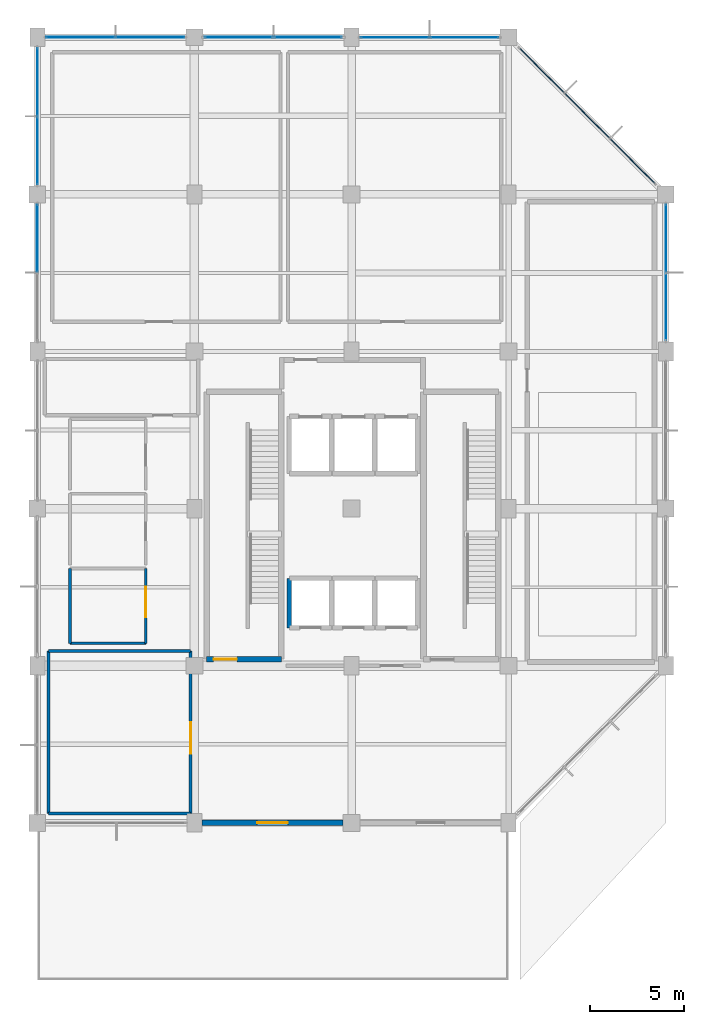
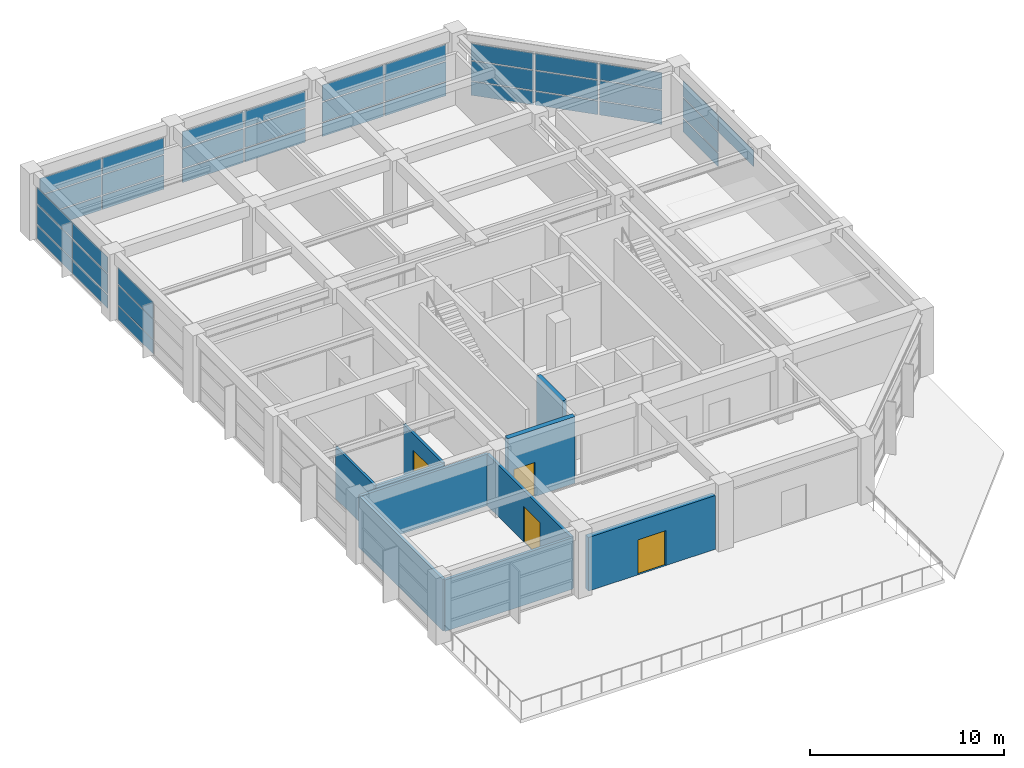
# One storey, part 8 of 11: 40 plates, 10 walls, 4 doors, 4 openings, 7 elements without a shape of their own.
"""IFC4 building model written with IfcOpenShell, lengths in metres."""

from ifc_helpers import new_model, si_unit, direction, frame, frame_2d, origin, origin_2d, place, context, subcontext, project, spatial, rectangle, extrude, material, layer, layer_set, type_object, element, fill, aggregate, save


model = new_model("IFC4")

# Units and contexts
model_context = context("Model", 3, precision=1e-05, world=origin(), true_north=direction((0.0, 1.0)))
body_context = subcontext(model_context, "Body", "Model", "MODEL_VIEW")
ifc_project = project(units=[si_unit("LENGTHUNIT", "METRE"), si_unit("AREAUNIT", "SQUARE_METRE"), si_unit("VOLUMEUNIT", "CUBIC_METRE"), si_unit("PLANEANGLEUNIT", "RADIAN"), si_unit("MASSUNIT", "GRAM", prefix="KILO")], contexts=[model_context])

# Site, building, storey
site_placement = place(None, origin())
site = spatial("IfcSite", under=ifc_project, at=site_placement, CompositionType="ELEMENT")
building_placement = place(site_placement, origin())
building = spatial("IfcBuilding", under=site, at=building_placement, Name="Xuanlan Plaza Opera House", CompositionType="ELEMENT")
storey_placement = place(building_placement, frame((0.0, 0.0, 57.300048828125)))
storey = spatial("IfcBuildingStorey", under=building, at=storey_placement, Name="L13", CompositionType="ELEMENT", Elevation=57.300048828125)

# Curtain wall, plates
ifc_material_1 = material(Name="Anodised Aluminium 6063-T6 and Low-E Glass", Category="aluminium")
curtain_wall_type_1 = type_object("IfcCurtainWallType", Name="ENV-CW-CW-02", PredefinedType="USERDEFINED", material=ifc_material_1)
curtain_wall_1_placement = place(storey_placement, origin())
curtain_wall_1 = element("IfcCurtainWall", 1, at=curtain_wall_1_placement, inside=storey, type_object=curtain_wall_type_1, Name="Unitised Curtain Wall L13-007", ObjectType="UNITISED CURTAIN WALL", PredefinedType="USERDEFINED")
ifc_material_2 = material(Name="Laminated Acoustic Double Glazing", Category="glass")
ifc_layer_1 = layer(ifc_material_2, 0.028076171875)
ifc_layer_set_1 = layer_set([ifc_layer_1], Name="Laminated Acoustic Double Glazing")
plate_type_1 = type_object("IfcPlateType", Name="ENV-CWP-01", PredefinedType="CURTAIN_PANEL", material=ifc_layer_set_1)
plate_1_placement = place(storey_placement, frame((159.60009765625, 69.590087890625, 2.2900390625), z_axis=(0.0, 0.0, 1.0), x_axis=(0.0, 1.0, 0.0)))
plate_1 = element("IfcPlate", 2, at=plate_1_placement, type_object=plate_type_1, Name="CW-02 panel 1.3", PredefinedType="CURTAIN_PANEL", context=body_context, shape_type="SweptSolid", body=[
    extrude(rectangle(XDim=3.60009765625, YDim=0.028076171875, at=origin_2d()), origin(), (0.0, 0.0, 1.0), 1.010009765625),
])
plate_2_placement = place(storey_placement, frame((159.60009765625, 73.260009765625, 0.079833984375), z_axis=(0.0, 0.0, 1.0), x_axis=(0.0, 1.0, 0.0)))
plate_2 = element("IfcPlate", 3, at=plate_2_placement, type_object=plate_type_1, Name="CW-02 panel 2.1", PredefinedType="CURTAIN_PANEL", context=body_context, shape_type="SweptSolid", body=[
    extrude(rectangle(XDim=3.60009765625, YDim=0.028076171875, at=origin_2d()), origin(), (0.0, 0.0, 1.0), 0.830078125),
])
plate_3_placement = place(storey_placement, frame((159.60009765625, 73.260009765625, 0.98974609375), z_axis=(0.0, 0.0, 1.0), x_axis=(0.0, 1.0, 0.0)))
plate_3 = element("IfcPlate", 4, at=plate_3_placement, type_object=plate_type_1, Name="CW-02 panel 2.2", PredefinedType="CURTAIN_PANEL", context=body_context, shape_type="SweptSolid", body=[
    extrude(rectangle(XDim=3.60009765625, YDim=0.028076171875, at=origin_2d()), origin(), (0.0, 0.0, 1.0), 1.219970703125),
])
plate_4_placement = place(storey_placement, frame((159.60009765625, 73.260009765625, 2.2900390625), z_axis=(0.0, 0.0, 1.0), x_axis=(0.0, 1.0, 0.0)))
plate_4 = element("IfcPlate", 5, at=plate_4_placement, type_object=plate_type_1, Name="CW-02 panel 2.3", PredefinedType="CURTAIN_PANEL", context=body_context, shape_type="SweptSolid", body=[
    extrude(rectangle(XDim=3.60009765625, YDim=0.028076171875, at=origin_2d()), origin(), (0.0, 0.0, 1.0), 1.010009765625),
])
aggregate(curtain_wall_1, [plate_1, plate_2, plate_3, plate_4])

curtain_wall_type_2 = type_object("IfcCurtainWallType", Name="ENV-CW-CW-03", PredefinedType="USERDEFINED", material=ifc_material_1)
curtain_wall_2_placement = place(storey_placement, origin())
curtain_wall_2 = element("IfcCurtainWall", 6, at=curtain_wall_2_placement, inside=storey, type_object=curtain_wall_type_2, Name="Unitised Curtain Wall L13-012", ObjectType="UNITISED CURTAIN WALL", PredefinedType="USERDEFINED")
plate_5_placement = place(storey_placement, frame((126.0, 81.610107421875, 0.079833984375), z_axis=(0.0, 0.0, 1.0), x_axis=(0.0, -1.0, 0.0)))
plate_5 = element("IfcPlate", 7, at=plate_5_placement, type_object=plate_type_1, Name="CW-03 panel 1.1", PredefinedType="CURTAIN_PANEL", context=body_context, shape_type="SweptSolid", body=[
    extrude(rectangle(XDim=3.60009765625, YDim=0.028076171875, at=origin_2d()), origin(), (0.0, 0.0, 1.0), 0.830078125),
])
plate_6_placement = place(storey_placement, frame((126.0, 81.610107421875, 0.98974609375), z_axis=(0.0, 0.0, 1.0), x_axis=(0.0, -1.0, 0.0)))
plate_6 = element("IfcPlate", 8, at=plate_6_placement, type_object=plate_type_1, Name="CW-03 panel 1.2", PredefinedType="CURTAIN_PANEL", context=body_context, shape_type="SweptSolid", body=[
    extrude(rectangle(XDim=3.60009765625, YDim=0.028076171875, at=origin_2d()), origin(), (0.0, 0.0, 1.0), 1.219970703125),
])
plate_7_placement = place(storey_placement, frame((126.0, 81.610107421875, 2.2900390625), z_axis=(0.0, 0.0, 1.0), x_axis=(0.0, -1.0, 0.0)))
plate_7 = element("IfcPlate", 9, at=plate_7_placement, type_object=plate_type_1, Name="CW-03 panel 1.3", PredefinedType="CURTAIN_PANEL", context=body_context, shape_type="SweptSolid", body=[
    extrude(rectangle(XDim=3.60009765625, YDim=0.028076171875, at=origin_2d()), origin(), (0.0, 0.0, 1.0), 1.010009765625),
])
plate_8_placement = place(storey_placement, frame((126.0, 77.93994140625, 0.079833984375), z_axis=(0.0, 0.0, 1.0), x_axis=(0.0, -1.0, 0.0)))
plate_8 = element("IfcPlate", 10, at=plate_8_placement, type_object=plate_type_1, Name="CW-03 panel 2.1", PredefinedType="CURTAIN_PANEL", context=body_context, shape_type="SweptSolid", body=[
    extrude(rectangle(XDim=3.60009765625, YDim=0.028076171875, at=origin_2d()), origin(), (0.0, 0.0, 1.0), 0.830078125),
])
plate_9_placement = place(storey_placement, frame((126.0, 77.93994140625, 0.98974609375), z_axis=(0.0, 0.0, 1.0), x_axis=(0.0, -1.0, 0.0)))
plate_9 = element("IfcPlate", 11, at=plate_9_placement, type_object=plate_type_1, Name="CW-03 panel 2.2", PredefinedType="CURTAIN_PANEL", context=body_context, shape_type="SweptSolid", body=[
    extrude(rectangle(XDim=3.60009765625, YDim=0.028076171875, at=origin_2d()), origin(), (0.0, 0.0, 1.0), 1.219970703125),
])
plate_10_placement = place(storey_placement, frame((126.0, 77.93994140625, 2.2900390625), z_axis=(0.0, 0.0, 1.0), x_axis=(0.0, -1.0, 0.0)))
plate_10 = element("IfcPlate", 12, at=plate_10_placement, type_object=plate_type_1, Name="CW-03 panel 2.3", PredefinedType="CURTAIN_PANEL", context=body_context, shape_type="SweptSolid", body=[
    extrude(rectangle(XDim=3.60009765625, YDim=0.028076171875, at=origin_2d()), origin(), (0.0, 0.0, 1.0), 1.010009765625),
])
aggregate(curtain_wall_2, [plate_5, plate_6, plate_7, plate_8, plate_9, plate_10])

curtain_wall_type_3 = type_object("IfcCurtainWallType", Name="ENV-CW-CW-04", PredefinedType="USERDEFINED", material=ifc_material_1)
curtain_wall_3_placement = place(storey_placement, origin())
curtain_wall_3 = element("IfcCurtainWall", 13, at=curtain_wall_3_placement, inside=storey, type_object=curtain_wall_type_3, Name="Unitised Curtain Wall L13-009", ObjectType="UNITISED CURTAIN WALL", PredefinedType="USERDEFINED")
ifc_layer_2 = layer(ifc_material_2, 0.031982421875)
ifc_layer_set_2 = layer_set([ifc_layer_2], Name="Laminated Acoustic Double Glazing")
plate_type_2 = type_object("IfcPlateType", Name="ENV-CWP-02", PredefinedType="CURTAIN_PANEL", material=ifc_layer_set_2)
plate_11_placement = place(storey_placement, frame((148.83251953125, 84.0, 0.074951171875), z_axis=(0.0, 0.0, 1.0), x_axis=(-1.0, 0.0, 0.0)))
plate_11 = element("IfcPlate", 14, at=plate_11_placement, type_object=plate_type_2, Name="CW-04 panel 1.1", PredefinedType="CURTAIN_PANEL", context=body_context, shape_type="SweptSolid", body=[
    extrude(rectangle(XDim=3.635009765625, YDim=0.031982421875, at=origin_2d()), origin(), (0.0, 0.0, 1.0), 0.83740234375),
])
plate_12_placement = place(storey_placement, frame((148.83251953125, 84.0, 0.9873046875), z_axis=(0.0, 0.0, 1.0), x_axis=(-1.0, 0.0, 0.0)))
plate_12 = element("IfcPlate", 15, at=plate_12_placement, type_object=plate_type_2, Name="CW-04 panel 1.2", PredefinedType="CURTAIN_PANEL", context=body_context, shape_type="SweptSolid", body=[
    extrude(rectangle(XDim=3.635009765625, YDim=0.031982421875, at=origin_2d()), origin(), (0.0, 0.0, 1.0), 1.22509765625),
])
plate_13_placement = place(storey_placement, frame((148.83251953125, 84.0, 2.287353515625), z_axis=(0.0, 0.0, 1.0), x_axis=(-1.0, 0.0, 0.0)))
plate_13 = element("IfcPlate", 16, at=plate_13_placement, type_object=plate_type_2, Name="CW-04 panel 1.3", PredefinedType="CURTAIN_PANEL", context=body_context, shape_type="SweptSolid", body=[
    extrude(rectangle(XDim=3.635009765625, YDim=0.031982421875, at=origin_2d()), origin(), (0.0, 0.0, 1.0), 1.017578125),
])
plate_14_placement = place(storey_placement, frame((145.117431640625, 84.0, 0.074951171875), z_axis=(0.0, 0.0, 1.0), x_axis=(-1.0, 0.0, 0.0)))
plate_14 = element("IfcPlate", 17, at=plate_14_placement, type_object=plate_type_2, Name="CW-04 panel 2.1", PredefinedType="CURTAIN_PANEL", context=body_context, shape_type="SweptSolid", body=[
    extrude(rectangle(XDim=3.635009765625, YDim=0.031982421875, at=origin_2d()), origin(), (0.0, 0.0, 1.0), 0.83740234375),
])
plate_15_placement = place(storey_placement, frame((145.117431640625, 84.0, 0.9873046875), z_axis=(0.0, 0.0, 1.0), x_axis=(-1.0, 0.0, 0.0)))
plate_15 = element("IfcPlate", 18, at=plate_15_placement, type_object=plate_type_2, Name="CW-04 panel 2.2", PredefinedType="CURTAIN_PANEL", context=body_context, shape_type="SweptSolid", body=[
    extrude(rectangle(XDim=3.635009765625, YDim=0.031982421875, at=origin_2d()), origin(), (0.0, 0.0, 1.0), 1.22509765625),
])
plate_16_placement = place(storey_placement, frame((145.117431640625, 84.0, 2.287353515625), z_axis=(0.0, 0.0, 1.0), x_axis=(-1.0, 0.0, 0.0)))
plate_16 = element("IfcPlate", 19, at=plate_16_placement, type_object=plate_type_2, Name="CW-04 panel 2.3", PredefinedType="CURTAIN_PANEL", context=body_context, shape_type="SweptSolid", body=[
    extrude(rectangle(XDim=3.635009765625, YDim=0.031982421875, at=origin_2d()), origin(), (0.0, 0.0, 1.0), 1.017578125),
])
aggregate(curtain_wall_3, [plate_11, plate_12, plate_13, plate_14, plate_15, plate_16])

curtain_wall_4_placement = place(storey_placement, origin())
curtain_wall_4 = element("IfcCurtainWall", 20, at=curtain_wall_4_placement, inside=storey, type_object=curtain_wall_type_1, Name="Unitised Curtain Wall L13-011", ObjectType="UNITISED CURTAIN WALL", PredefinedType="USERDEFINED")
ifc_layer_3 = layer(ifc_material_2, 0.035888671875)
ifc_layer_set_3 = layer_set([ifc_layer_3], Name="Laminated Acoustic Double Glazing")
plate_type_3 = type_object("IfcPlateType", Name="ENV-CWP-03", PredefinedType="CURTAIN_PANEL", material=ifc_layer_set_3)
plate_17_placement = place(storey_placement, frame((132.0361328125, 84.0, 0.06982421875), z_axis=(0.0, 0.0, 1.0), x_axis=(-1.0, 0.0, 0.0)))
plate_17 = element("IfcPlate", 21, at=plate_17_placement, type_object=plate_type_3, Name="CW-02 panel 1.1", PredefinedType="CURTAIN_PANEL", context=body_context, shape_type="SweptSolid", body=[
    extrude(rectangle(XDim=3.657470703125, YDim=0.035888671875, at=origin_2d()), origin(), (0.0, 0.0, 1.0), 0.844970703125),
])
plate_18_placement = place(storey_placement, frame((132.0361328125, 84.0, 0.98486328125), z_axis=(0.0, 0.0, 1.0), x_axis=(-1.0, 0.0, 0.0)))
plate_18 = element("IfcPlate", 22, at=plate_18_placement, type_object=plate_type_3, Name="CW-02 panel 1.2", PredefinedType="CURTAIN_PANEL", context=body_context, shape_type="SweptSolid", body=[
    extrude(rectangle(XDim=3.657470703125, YDim=0.035888671875, at=origin_2d()), origin(), (0.0, 0.0, 1.0), 1.22998046875),
])
plate_19_placement = place(storey_placement, frame((132.0361328125, 84.0, 2.284912109375), z_axis=(0.0, 0.0, 1.0), x_axis=(-1.0, 0.0, 0.0)))
plate_19 = element("IfcPlate", 23, at=plate_19_placement, type_object=plate_type_3, Name="CW-02 panel 1.3", PredefinedType="CURTAIN_PANEL", context=body_context, shape_type="SweptSolid", body=[
    extrude(rectangle(XDim=3.657470703125, YDim=0.035888671875, at=origin_2d()), origin(), (0.0, 0.0, 1.0), 1.02490234375),
])
plate_20_placement = place(storey_placement, frame((128.313720703125, 84.0, 0.06982421875), z_axis=(0.0, 0.0, 1.0), x_axis=(-1.0, 0.0, 0.0)))
plate_20 = element("IfcPlate", 24, at=plate_20_placement, type_object=plate_type_3, Name="CW-02 panel 2.1", PredefinedType="CURTAIN_PANEL", context=body_context, shape_type="SweptSolid", body=[
    extrude(rectangle(XDim=3.657470703125, YDim=0.035888671875, at=origin_2d()), origin(), (0.0, 0.0, 1.0), 0.844970703125),
])
plate_21_placement = place(storey_placement, frame((128.313720703125, 84.0, 0.98486328125), z_axis=(0.0, 0.0, 1.0), x_axis=(-1.0, 0.0, 0.0)))
plate_21 = element("IfcPlate", 25, at=plate_21_placement, type_object=plate_type_3, Name="CW-02 panel 2.2", PredefinedType="CURTAIN_PANEL", context=body_context, shape_type="SweptSolid", body=[
    extrude(rectangle(XDim=3.657470703125, YDim=0.035888671875, at=origin_2d()), origin(), (0.0, 0.0, 1.0), 1.22998046875),
])
plate_22_placement = place(storey_placement, frame((128.313720703125, 84.0, 2.284912109375), z_axis=(0.0, 0.0, 1.0), x_axis=(-1.0, 0.0, 0.0)))
plate_22 = element("IfcPlate", 26, at=plate_22_placement, type_object=plate_type_3, Name="CW-02 panel 2.3", PredefinedType="CURTAIN_PANEL", context=body_context, shape_type="SweptSolid", body=[
    extrude(rectangle(XDim=3.657470703125, YDim=0.035888671875, at=origin_2d()), origin(), (0.0, 0.0, 1.0), 1.02490234375),
])
aggregate(curtain_wall_4, [plate_17, plate_18, plate_19, plate_20, plate_21, plate_22])

curtain_wall_5_placement = place(storey_placement, origin())
curtain_wall_5 = element("IfcCurtainWall", 27, at=curtain_wall_5_placement, inside=storey, type_object=curtain_wall_type_2, Name="Unitised Curtain Wall L13-008", ObjectType="UNITISED CURTAIN WALL", PredefinedType="USERDEFINED")
ifc_layer_4 = layer(ifc_material_2, 0.0400390625)
ifc_layer_set_4 = layer_set([ifc_layer_4], Name="Laminated Acoustic Double Glazing")
plate_type_4 = type_object("IfcPlateType", Name="ENV-CWP-04", PredefinedType="CURTAIN_PANEL", material=ifc_layer_set_4)
plate_23_placement = place(storey_placement, frame((157.82080078125, 77.379150390625, 0.06494140625), z_axis=(0.0, 0.0, 1.0), x_axis=(-0.707106781187, 0.707106781187, 0.0)))
plate_23 = element("IfcPlate", 28, at=plate_23_placement, type_object=plate_type_4, Name="CW-03 panel 1.1", PredefinedType="CURTAIN_PANEL", context=body_context, shape_type="SweptSolid", body=[
    extrude(rectangle(XDim=3.32958984375, YDim=0.0400390625, at=origin_2d()), origin(), (0.0, 0.0, 1.0), 0.8525390625),
])
plate_24_placement = place(storey_placement, frame((157.82080078125, 77.379150390625, 0.982421875), z_axis=(0.0, 0.0, 1.0), x_axis=(-0.707106781187, 0.707106781187, 0.0)))
plate_24 = element("IfcPlate", 29, at=plate_24_placement, type_object=plate_type_4, Name="CW-03 panel 1.2", PredefinedType="CURTAIN_PANEL", context=body_context, shape_type="SweptSolid", body=[
    extrude(rectangle(XDim=3.32958984375, YDim=0.0400390625, at=origin_2d()), origin(), (0.0, 0.0, 1.0), 1.235107421875),
])
plate_25_placement = place(storey_placement, frame((157.82080078125, 77.379150390625, 2.2822265625), z_axis=(0.0, 0.0, 1.0), x_axis=(-0.707106781187, 0.707106781187, 0.0)))
plate_25 = element("IfcPlate", 30, at=plate_25_placement, type_object=plate_type_4, Name="CW-03 panel 1.3", PredefinedType="CURTAIN_PANEL", context=body_context, shape_type="SweptSolid", body=[
    extrude(rectangle(XDim=3.32958984375, YDim=0.0400390625, at=origin_2d()), origin(), (0.0, 0.0, 1.0), 1.032470703125),
])
plate_26_placement = place(storey_placement, frame((155.39990234375, 79.800048828125, 0.06494140625), z_axis=(0.0, 0.0, 1.0), x_axis=(-0.707106781187, 0.707106781187, 0.0)))
plate_26 = element("IfcPlate", 31, at=plate_26_placement, type_object=plate_type_4, Name="CW-03 panel 2.1", PredefinedType="CURTAIN_PANEL", context=body_context, shape_type="SweptSolid", body=[
    extrude(rectangle(XDim=3.3671875, YDim=0.0400390625, at=origin_2d()), origin(), (0.0, 0.0, 1.0), 0.8525390625),
])
plate_27_placement = place(storey_placement, frame((155.39990234375, 79.800048828125, 0.982421875), z_axis=(0.0, 0.0, 1.0), x_axis=(-0.707106781187, 0.707106781187, 0.0)))
plate_27 = element("IfcPlate", 32, at=plate_27_placement, type_object=plate_type_4, Name="CW-03 panel 2.2", PredefinedType="CURTAIN_PANEL", context=body_context, shape_type="SweptSolid", body=[
    extrude(rectangle(XDim=3.3671875, YDim=0.0400390625, at=origin_2d()), origin(), (0.0, 0.0, 1.0), 1.235107421875),
])
plate_28_placement = place(storey_placement, frame((155.39990234375, 79.800048828125, 2.2822265625), z_axis=(0.0, 0.0, 1.0), x_axis=(-0.707106781187, 0.707106781187, 0.0)))
plate_28 = element("IfcPlate", 33, at=plate_28_placement, type_object=plate_type_4, Name="CW-03 panel 2.3", PredefinedType="CURTAIN_PANEL", context=body_context, shape_type="SweptSolid", body=[
    extrude(rectangle(XDim=3.3671875, YDim=0.0400390625, at=origin_2d()), origin(), (0.0, 0.0, 1.0), 1.032470703125),
])
plate_29_placement = place(storey_placement, frame((152.979248046875, 82.220703125, 0.06494140625), z_axis=(0.0, 0.0, 1.0), x_axis=(-0.707106781187, 0.707106781187, 0.0)))
plate_29 = element("IfcPlate", 34, at=plate_29_placement, type_object=plate_type_4, Name="CW-03 panel 3.1", PredefinedType="CURTAIN_PANEL", context=body_context, shape_type="SweptSolid", body=[
    extrude(rectangle(XDim=3.32958984375, YDim=0.0400390625, at=origin_2d()), origin(), (0.0, 0.0, 1.0), 0.8525390625),
])
plate_30_placement = place(storey_placement, frame((152.979248046875, 82.220703125, 0.982421875), z_axis=(0.0, 0.0, 1.0), x_axis=(-0.707106781187, 0.707106781187, 0.0)))
plate_30 = element("IfcPlate", 35, at=plate_30_placement, type_object=plate_type_4, Name="CW-03 panel 3.2", PredefinedType="CURTAIN_PANEL", context=body_context, shape_type="SweptSolid", body=[
    extrude(rectangle(XDim=3.32958984375, YDim=0.0400390625, at=origin_2d()), origin(), (0.0, 0.0, 1.0), 1.235107421875),
])
plate_31_placement = place(storey_placement, frame((152.979248046875, 82.220703125, 2.2822265625), z_axis=(0.0, 0.0, 1.0), x_axis=(-0.707106781187, 0.707106781187, 0.0)))
plate_31 = element("IfcPlate", 36, at=plate_31_placement, type_object=plate_type_4, Name="CW-03 panel 3.3", PredefinedType="CURTAIN_PANEL", context=body_context, shape_type="SweptSolid", body=[
    extrude(rectangle(XDim=3.32958984375, YDim=0.0400390625, at=origin_2d()), origin(), (0.0, 0.0, 1.0), 1.032470703125),
])
aggregate(curtain_wall_5, [plate_23, plate_24, plate_25, plate_26, plate_27, plate_28, plate_29, plate_30, plate_31])

curtain_wall_6_placement = place(storey_placement, origin())
curtain_wall_6 = element("IfcCurtainWall", 37, at=curtain_wall_6_placement, inside=storey, type_object=curtain_wall_type_3, Name="Unitised Curtain Wall L13-013", ObjectType="UNITISED CURTAIN WALL", PredefinedType="USERDEFINED")
plate_32_placement = place(storey_placement, frame((126.0, 73.2587890625, 0.06494140625), z_axis=(0.0, 0.0, 1.0), x_axis=(0.0, -1.0, 0.0)))
plate_32 = element("IfcPlate", 38, at=plate_32_placement, type_object=plate_type_4, Name="CW-04 panel 1.1", PredefinedType="CURTAIN_PANEL", context=body_context, shape_type="SweptSolid", body=[
    extrude(rectangle(XDim=3.592529296875, YDim=0.0400390625, at=origin_2d()), origin(), (0.0, 0.0, 1.0), 0.8525390625),
])
plate_33_placement = place(storey_placement, frame((126.0, 73.2587890625, 0.982421875), z_axis=(0.0, 0.0, 1.0), x_axis=(0.0, -1.0, 0.0)))
plate_33 = element("IfcPlate", 39, at=plate_33_placement, type_object=plate_type_4, Name="CW-04 panel 1.2", PredefinedType="CURTAIN_PANEL", context=body_context, shape_type="SweptSolid", body=[
    extrude(rectangle(XDim=3.592529296875, YDim=0.0400390625, at=origin_2d()), origin(), (0.0, 0.0, 1.0), 1.235107421875),
])
plate_34_placement = place(storey_placement, frame((126.0, 73.2587890625, 2.2822265625), z_axis=(0.0, 0.0, 1.0), x_axis=(0.0, -1.0, 0.0)))
plate_34 = element("IfcPlate", 40, at=plate_34_placement, type_object=plate_type_4, Name="CW-04 panel 1.3", PredefinedType="CURTAIN_PANEL", context=body_context, shape_type="SweptSolid", body=[
    extrude(rectangle(XDim=3.592529296875, YDim=0.0400390625, at=origin_2d()), origin(), (0.0, 0.0, 1.0), 1.032470703125),
])
aggregate(curtain_wall_6, [plate_32, plate_33, plate_34])

curtain_wall_type_4 = type_object("IfcCurtainWallType", Name="ENV-CW-CW-01", PredefinedType="USERDEFINED", material=ifc_material_1)
curtain_wall_7_placement = place(storey_placement, origin())
curtain_wall_7 = element("IfcCurtainWall", 41, at=curtain_wall_7_placement, inside=storey, type_object=curtain_wall_type_4, Name="Unitised Curtain Wall L13-010", ObjectType="UNITISED CURTAIN WALL", PredefinedType="USERDEFINED")
ifc_layer_5 = layer(ifc_material_2, 0.0439453125)
ifc_layer_set_5 = layer_set([ifc_layer_5], Name="Laminated Acoustic Double Glazing")
plate_type_5 = type_object("IfcPlateType", Name="ENV-CWP-05", PredefinedType="CURTAIN_PANEL", material=ifc_layer_set_5)
plate_35_placement = place(storey_placement, frame((140.47998046875, 84.0, 0.090087890625), z_axis=(0.0, 0.0, 1.0), x_axis=(-1.0, 0.0, 0.0)))
plate_35 = element("IfcPlate", 42, at=plate_35_placement, type_object=plate_type_5, Name="CW-01 panel 1.1", PredefinedType="CURTAIN_PANEL", context=body_context, shape_type="SweptSolid", body=[
    extrude(rectangle(XDim=3.6201171875, YDim=0.0439453125, at=origin_2d()), origin(), (0.0, 0.0, 1.0), 0.81494140625),
])
plate_36_placement = place(storey_placement, frame((140.47998046875, 84.0, 0.994873046875), z_axis=(0.0, 0.0, 1.0), x_axis=(-1.0, 0.0, 0.0)))
plate_36 = element("IfcPlate", 43, at=plate_36_placement, type_object=plate_type_5, Name="CW-01 panel 1.2", PredefinedType="CURTAIN_PANEL", context=body_context, shape_type="SweptSolid", body=[
    extrude(rectangle(XDim=3.6201171875, YDim=0.0439453125, at=origin_2d()), origin(), (0.0, 0.0, 1.0), 1.2099609375),
])
plate_37_placement = place(storey_placement, frame((140.47998046875, 84.0, 2.294921875), z_axis=(0.0, 0.0, 1.0), x_axis=(-1.0, 0.0, 0.0)))
plate_37 = element("IfcPlate", 44, at=plate_37_placement, type_object=plate_type_5, Name="CW-01 panel 1.3", PredefinedType="CURTAIN_PANEL", context=body_context, shape_type="SweptSolid", body=[
    extrude(rectangle(XDim=3.6201171875, YDim=0.0439453125, at=origin_2d()), origin(), (0.0, 0.0, 1.0), 0.9951171875),
])
plate_38_placement = place(storey_placement, frame((136.77001953125, 84.0, 0.090087890625), z_axis=(0.0, 0.0, 1.0), x_axis=(-1.0, 0.0, 0.0)))
plate_38 = element("IfcPlate", 45, at=plate_38_placement, type_object=plate_type_5, Name="CW-01 panel 2.1", PredefinedType="CURTAIN_PANEL", context=body_context, shape_type="SweptSolid", body=[
    extrude(rectangle(XDim=3.6201171875, YDim=0.0439453125, at=origin_2d()), origin(), (0.0, 0.0, 1.0), 0.81494140625),
])
plate_39_placement = place(storey_placement, frame((136.77001953125, 84.0, 0.994873046875), z_axis=(0.0, 0.0, 1.0), x_axis=(-1.0, 0.0, 0.0)))
plate_39 = element("IfcPlate", 46, at=plate_39_placement, type_object=plate_type_5, Name="CW-01 panel 2.2", PredefinedType="CURTAIN_PANEL", context=body_context, shape_type="SweptSolid", body=[
    extrude(rectangle(XDim=3.6201171875, YDim=0.0439453125, at=origin_2d()), origin(), (0.0, 0.0, 1.0), 1.2099609375),
])
plate_40_placement = place(storey_placement, frame((136.77001953125, 84.0, 2.294921875), z_axis=(0.0, 0.0, 1.0), x_axis=(-1.0, 0.0, 0.0)))
plate_40 = element("IfcPlate", 47, at=plate_40_placement, type_object=plate_type_5, Name="CW-01 panel 2.3", PredefinedType="CURTAIN_PANEL", context=body_context, shape_type="SweptSolid", body=[
    extrude(rectangle(XDim=3.6201171875, YDim=0.0439453125, at=origin_2d()), origin(), (0.0, 0.0, 1.0), 0.9951171875),
])
aggregate(curtain_wall_7, [plate_35, plate_36, plate_37, plate_38, plate_39, plate_40])

# Wall, opening, door
ifc_material_3 = material(Name="Anodised Aluminium 6063-T6 and Rockwool Cladding", Category="aluminium")
ifc_layer_6 = layer(ifc_material_3, 0.2900390625)
ifc_layer_set_6 = layer_set([ifc_layer_6], Name="Anodised Aluminium 6063-T6 and Rockwool Cladding")
wall_type_1 = type_object("IfcWallType", Name="ENV-WL-EW-05", PredefinedType="STANDARD", material=ifc_layer_set_6)
wall_1_placement = place(storey_placement, frame((134.800048828125, 42.0, 0.0), z_axis=(0.0, 0.0, 1.0), x_axis=(1.0, 0.0, 0.0)))
wall_1 = element("IfcWall", 48, at=wall_1_placement, inside=storey, type_object=wall_type_1, Name="Exterior Wall L13-002", PredefinedType="STANDARD", context=body_context, shape_type="SweptSolid", body=[
    extrude(rectangle(XDim=7.550048828125, YDim=0.2900390625, at=frame_2d((3.77490234375, 0.0))), origin(), (0.0, 0.0, 1.0), 3.3798828125),
])
opening_1_placement = place(wall_1_placement, frame((2.949951171875, 0.0, 0.0)))
opening_1 = element("IfcOpeningElement", 49, at=opening_1_placement, cuts=wall_1, Name="Opening TD-01", PredefinedType="OPENING", context=body_context, shape_type="SweptSolid", body=[
    extrude(rectangle(XDim=1.64990234375, YDim=2.199951171875, at=frame_2d((0.824951171875, 1.10009765625))), frame((0.0, 0.155029296875, 0.0), z_axis=(0.0, -1.0, 0.0), x_axis=(1.0, 0.0, 0.0)), (0.0, 0.0, 1.0), 0.31005859375),
])
ifc_material_4 = material(Name="Anodised Aluminium 6063-T6 and Laminated Safety Glass", Category="aluminium")
door_type_1 = type_object("IfcDoorType", Name="ENV-DR-TD-01", OperationType="DOUBLE_DOOR_SINGLE_SWING", PredefinedType="DOOR", material=ifc_material_4)
door_1_placement = place(opening_1_placement, frame((1.64990234375, 0.0, 0.0), z_axis=(0.0, 0.0, 1.0), x_axis=(-1.0, 0.0, 0.0)))
door_1 = element("IfcDoor", 50, at=door_1_placement, inside=storey, type_object=door_type_1, Name="Terrace Access Door TERR-L13-02", OperationType="DOUBLE_DOOR_SINGLE_SWING", OverallHeight=2.199951171875, OverallWidth=1.64990234375, PredefinedType="DOOR", context=body_context, shape_type="SweptSolid", body=[
    extrude(rectangle(XDim=1.64990234375, YDim=2.199951171875, at=frame_2d((0.824951171875, 1.10009765625))), frame((0.0, 0.02490234375, 0.0), z_axis=(0.0, -1.0, 0.0), x_axis=(1.0, 0.0, 0.0)), (0.0, 0.0, 1.0), 0.050048828125),
])
fill(opening_1, door_1)

# Walls
ifc_material_5 = material(Name="Autoclaved Aerated Blockwork Masonry", Category="masonry")
ifc_layer_7 = layer(ifc_material_5, 0.14990234375)
ifc_layer_set_7 = layer_set([ifc_layer_7], Name="Autoclaved Aerated Blockwork Masonry")
wall_type_2 = type_object("IfcWallType", Name="INT-WL-PW-03", PredefinedType="PARTITIONING", material=ifc_layer_set_7)
wall_2_placement = place(storey_placement, frame((127.75, 51.60009765625, 0.0), z_axis=(0.0, 0.0, 1.0), x_axis=(1.0, 0.0, 0.0)))
element("IfcWall", 51, at=wall_2_placement, inside=storey, type_object=wall_type_2, Name="Public WC Wall South", PredefinedType="PARTITIONING", context=body_context, shape_type="SweptSolid", body=[
    extrude(rectangle(XDim=4.050048828125, YDim=0.14990234375, at=frame_2d((2.02490234375, 0.0))), origin(), (0.0, 0.0, 1.0), 3.239990234375),
])
wall_3_placement = place(storey_placement, frame((127.75, 51.60009765625, 0.0), z_axis=(0.0, 0.0, 1.0), x_axis=(0.0, 1.0, 0.0)))
element("IfcWall", 52, at=wall_3_placement, inside=storey, type_object=wall_type_2, Name="Public WC Wall West", PredefinedType="PARTITIONING", context=body_context, shape_type="SweptSolid", body=[
    extrude(rectangle(XDim=4.0, YDim=0.14990234375, at=frame_2d((2.0, 0.0))), origin(), (0.0, 0.0, 1.0), 3.239990234375),
])

# Wall, opening, door
wall_4_placement = place(storey_placement, frame((131.800048828125, 51.60009765625, 0.0), z_axis=(0.0, 0.0, 1.0), x_axis=(0.0, 1.0, 0.0)))
wall_4 = element("IfcWall", 53, at=wall_4_placement, inside=storey, type_object=wall_type_2, Name="Public WC Wall East", PredefinedType="PARTITIONING", context=body_context, shape_type="SweptSolid", body=[
    extrude(rectangle(XDim=4.0, YDim=0.14990234375, at=frame_2d((2.0, 0.0))), origin(), (0.0, 0.0, 1.0), 3.239990234375),
])
opening_2_placement = place(wall_4_placement, frame((1.39990234375, 0.0, 0.0)))
opening_2 = element("IfcOpeningElement", 54, at=opening_2_placement, cuts=wall_4, Name="Opening D-08", PredefinedType="OPENING", context=body_context, shape_type="SweptSolid", body=[
    extrude(rectangle(XDim=1.6201171875, YDim=2.219970703125, at=frame_2d((0.81005859375, 1.10986328125))), frame((0.0, 0.0849609375, 0.0), z_axis=(0.0, -1.0, 0.0), x_axis=(1.0, 0.0, 0.0)), (0.0, 0.0, 1.0), 0.169921875),
])
ifc_material_6 = material(Name="Walnut Hardwood Timber", Category="wood")
door_type_2 = type_object("IfcDoorType", Name="INT-DR-D-08", OperationType="DOUBLE_DOOR_SINGLE_SWING", PredefinedType="DOOR", material=ifc_material_6)
door_2_placement = place(opening_2_placement, origin())
door_2 = element("IfcDoor", 55, at=door_2_placement, inside=storey, type_object=door_type_2, Name="Public WC Door 1", OperationType="DOUBLE_DOOR_SINGLE_SWING", OverallHeight=2.219970703125, OverallWidth=1.6201171875, PredefinedType="DOOR", context=body_context, shape_type="SweptSolid", body=[
    extrude(rectangle(XDim=1.6201171875, YDim=2.219970703125, at=frame_2d((0.81005859375, 1.10986328125))), frame((0.0, 0.02490234375, 0.0), z_axis=(0.0, -1.0, 0.0), x_axis=(1.0, 0.0, 0.0)), (0.0, 0.0, 1.0), 0.050048828125),
])
fill(opening_2, door_2)

# Walls
ifc_material_7 = material(Name="Gypsum Board and Galvanised Steel Studs", Category="gypsum")
ifc_layer_8 = layer(ifc_material_7, 0.159912109375)
ifc_layer_set_8 = layer_set([ifc_layer_8], Name="Gypsum Board and Galvanised Steel Studs")
wall_type_3 = type_object("IfcWallType", Name="INT-WL-PW-05", PredefinedType="PARTITIONING", material=ifc_layer_set_8)
for number, where, z_axis, x_axis, name in (
    (56, (126.60009765625, 42.5, 0.0), (0.0, 0.0, 1.0), (1.0, 0.0, 0.0), "Curatorial Research Office Wall South"),
    (57, (126.60009765625, 51.199951171875, 0.0), (0.0, 0.0, 1.0), (1.0, 0.0, 0.0), "Curatorial Research Office Wall North"),
):
    element("IfcWall", number, at=place(storey_placement, frame(where, z_axis=z_axis, x_axis=x_axis)), inside=storey, type_object=wall_type_3, Name=name, PredefinedType="PARTITIONING", context=body_context, shape_type="SweptSolid", body=[
        extrude(rectangle(XDim=7.599853515625, YDim=0.159912109375, at=frame_2d((3.7998046875, 0.0))), origin(), (0.0, 0.0, 1.0), 3.239990234375),
    ])
wall_5_placement = place(storey_placement, frame((126.60009765625, 42.5, 0.0), z_axis=(0.0, 0.0, 1.0), x_axis=(0.0, 1.0, 0.0)))
element("IfcWall", 58, at=wall_5_placement, inside=storey, type_object=wall_type_3, Name="Curatorial Research Office Wall West", PredefinedType="PARTITIONING", context=body_context, shape_type="SweptSolid", body=[
    extrude(rectangle(XDim=8.699951171875, YDim=0.159912109375, at=frame_2d((4.35009765625, 0.0))), origin(), (0.0, 0.0, 1.0), 3.239990234375),
])

# Wall, opening, door
wall_6_placement = place(storey_placement, frame((134.199951171875, 42.5, 0.0), z_axis=(0.0, 0.0, 1.0), x_axis=(0.0, 1.0, 0.0)))
wall_6 = element("IfcWall", 59, at=wall_6_placement, inside=storey, type_object=wall_type_3, Name="Curatorial Research Office Wall East", PredefinedType="PARTITIONING", context=body_context, shape_type="SweptSolid", body=[
    extrude(rectangle(XDim=8.699951171875, YDim=0.159912109375, at=frame_2d((4.35009765625, 0.0))), origin(), (0.0, 0.0, 1.0), 3.239990234375),
])
opening_3_placement = place(wall_6_placement, frame((3.199951171875, 0.0, 0.0)))
opening_3 = element("IfcOpeningElement", 60, at=opening_3_placement, cuts=wall_6, Name="Opening D-14", PredefinedType="OPENING", context=body_context, shape_type="SweptSolid", body=[
    extrude(rectangle(XDim=1.679931640625, YDim=2.239990234375, at=frame_2d((0.83984375, 1.1201171875))), frame((0.0, 0.08984375, 0.0), z_axis=(0.0, -1.0, 0.0), x_axis=(1.0, 0.0, 0.0)), (0.0, 0.0, 1.0), 0.179931640625),
])
ifc_material_8 = material(Name="Oak Hardwood Timber", Category="wood")
door_type_3 = type_object("IfcDoorType", Name="INT-DR-D-14", OperationType="DOUBLE_DOOR_SINGLE_SWING", PredefinedType="DOOR", material=ifc_material_8)
door_3_placement = place(opening_3_placement, origin())
door_3 = element("IfcDoor", 61, at=door_3_placement, inside=storey, type_object=door_type_3, Name="Curatorial Research Office Door 1", OperationType="DOUBLE_DOOR_SINGLE_SWING", OverallHeight=2.239990234375, OverallWidth=1.679931640625, PredefinedType="DOOR", context=body_context, shape_type="SweptSolid", body=[
    extrude(rectangle(XDim=1.679931640625, YDim=2.239990234375, at=frame_2d((0.83984375, 1.1201171875))), frame((0.0, 0.02490234375, 0.0), z_axis=(0.0, -1.0, 0.0), x_axis=(1.0, 0.0, 0.0)), (0.0, 0.0, 1.0), 0.050048828125),
])
fill(opening_3, door_3)

# Wall
ifc_material_9 = material(Name="Concrete C40", Category="concrete")
ifc_layer_9 = layer(ifc_material_9, 0.25)
ifc_layer_set_9 = layer_set([ifc_layer_9], Name="Concrete C40")
wall_type_4 = type_object("IfcWallType", Name="INT-WL-SW-LF1", PredefinedType="SHEAR", material=ifc_layer_set_9)
wall_7_placement = place(storey_placement, frame((139.47509765625, 52.425048828125, 0.0), z_axis=(0.0, 0.0, 1.0), x_axis=(0.0, 1.0, 0.0)))
element("IfcWall", 62, at=wall_7_placement, inside=storey, type_object=wall_type_4, Name="Lift Shaft Wall LF-P1 L13 West", PredefinedType="SHEAR", context=body_context, shape_type="SweptSolid", body=[
    extrude(rectangle(XDim=2.64990234375, YDim=0.25, at=frame_2d((1.324951171875, 0.0))), origin(), (0.0, 0.0, 1.0), 3.9599609375),
])

# Wall, opening, door
ifc_layer_10 = layer(ifc_material_9, 0.300048828125)
ifc_layer_set_10 = layer_set([ifc_layer_10], Name="Concrete C40")
wall_type_5 = type_object("IfcWallType", Name="INT-WL-SW-ST1", PredefinedType="SHEAR", material=ifc_layer_set_10)
wall_8_placement = place(storey_placement, frame((135.050048828125, 50.75, 0.0), z_axis=(0.0, 0.0, 1.0), x_axis=(1.0, 0.0, 0.0)))
wall_8 = element("IfcWall", 63, at=wall_8_placement, inside=storey, type_object=wall_type_5, Name="Stair Core Wall ST-T1 L13 South", PredefinedType="SHEAR", context=body_context, shape_type="SweptSolid", body=[
    extrude(rectangle(XDim=4.0, YDim=0.300048828125, at=frame_2d((2.0, 0.0))), origin(), (0.0, 0.0, 1.0), 4.199951171875),
])
opening_4_placement = place(wall_8_placement, frame((0.375, 0.0, 0.0)))
opening_4 = element("IfcOpeningElement", 64, at=opening_4_placement, cuts=wall_8, Name="Opening FD-ST1", PredefinedType="OPENING", context=body_context, shape_type="SweptSolid", body=[
    extrude(rectangle(XDim=1.25, YDim=2.14990234375, at=frame_2d((0.625, 1.074951171875))), frame((0.0, 0.159912109375, 0.0), z_axis=(0.0, -1.0, 0.0), x_axis=(1.0, 0.0, 0.0)), (0.0, 0.0, 1.0), 0.320068359375),
])
ifc_material_10 = material(Name="Galvanised Steel Q235B", Category="steel")
door_type_4 = type_object("IfcDoorType", Name="INT-DR-FD-ST1", OperationType="NOTDEFINED", PredefinedType="DOOR", material=ifc_material_10)
door_4_placement = place(opening_4_placement, origin())
door_4 = element("IfcDoor", 65, at=door_4_placement, inside=storey, type_object=door_type_4, Name="Stair Enclosure Fire Door ST-T1 L13", OperationType="SINGLE_SWING_LEFT", OverallHeight=2.14990234375, OverallWidth=1.25, PredefinedType="DOOR", context=body_context, shape_type="SweptSolid", body=[
    extrude(rectangle(XDim=1.25, YDim=2.14990234375, at=frame_2d((0.625, 1.074951171875))), frame((0.0, 0.02490234375, 0.0), z_axis=(0.0, -1.0, 0.0), x_axis=(1.0, 0.0, 0.0)), (0.0, 0.0, 1.0), 0.050048828125),
])
fill(opening_4, door_4)

save(model, "model.ifc")
